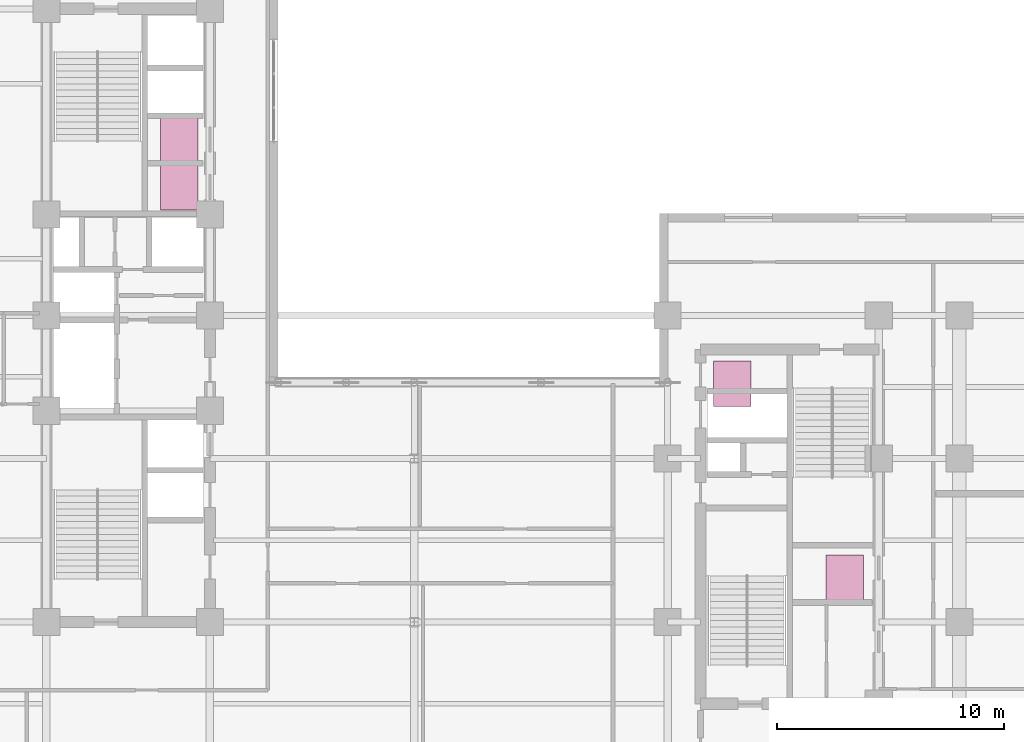
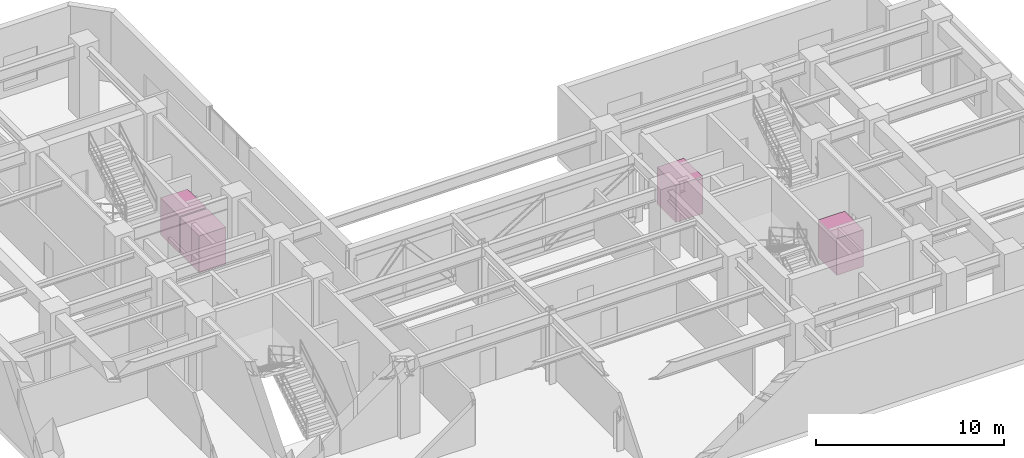
# One storey, part 18 of 18: 4 transport elements.
"""IFC4 building model written with IfcOpenShell, lengths in metres."""

from ifc_helpers import new_model, entity, si_unit, converted_unit, direction, frame, origin_with_axes, origin_2d_with_axis, place, context, subcontext, project, spatial, rectangle, extrude, material, type_object, element, save


model = new_model("IFC4")

# Units and contexts
model_context = context("Model", 3, precision=1e-05, world=origin_with_axes(), true_north=direction((0.0, 1.0)))
body_context = subcontext(model_context, "Body", "Model", "MODEL_VIEW")
ifc_project = project(units=[si_unit("LENGTHUNIT", "METRE"), si_unit("AREAUNIT", "SQUARE_METRE"), si_unit("VOLUMEUNIT", "CUBIC_METRE"), converted_unit("PLANEANGLEUNIT", "DEGREE", entity("IfcPlaneAngleMeasure", 0.017453292519943295), si_unit("PLANEANGLEUNIT", "RADIAN"), dimensions=[0, 0, 0, 0, 0, 0, 0]), si_unit("MASSUNIT", "GRAM", prefix="KILO"), si_unit("THERMODYNAMICTEMPERATUREUNIT", "KELVIN")], contexts=[model_context])

# Site, building, storey
site_placement = place(None, origin_with_axes())
site = spatial("IfcSite", under=ifc_project, at=site_placement, CompositionType="ELEMENT")
building_placement = place(site_placement, origin_with_axes())
building = spatial("IfcBuilding", under=site, at=building_placement, Name="Varnlund Millrace Tower", CompositionType="ELEMENT")
storey_placement = place(building_placement, frame((0.0, 0.0, 124.2), z_axis=(0.0, 0.0, 1.0), x_axis=(1.0, 0.0, 0.0)))
storey = spatial("IfcBuildingStorey", under=building, at=storey_placement, Name="L30", CompositionType="ELEMENT", Elevation=124.2)

# Transport elements
ifc_material = material(Name="Stainless steel and architectural bronze elevator cab", Category="steel")
transport_element_type = type_object("IfcTransportElementType", Name="Type-Lift-Passenger-2000X1650", PredefinedType="ELEVATOR", material=ifc_material)
for number, where, z_axis, x_axis, name in (
    (1, (17.25, 29.95, 0.0), (0.0, 0.0, 1.0), (1.0, 0.0, 0.0), "Passenger Lift ELV-M1 (Bank 2)"),
    (2, (17.25, 32.05, 0.0), (0.0, 0.0, 1.0), (1.0, 0.0, 0.0), "Passenger Lift ELV-M2 (Bank 2)"),
    (3, (46.55, 12.75, 0.0), (0.0, 0.0, 1.0), (1.0, 0.0, 0.0), "Passenger Lift ELV-M3 (Bank 2)"),
    (4, (41.6, 21.3, 0.0), (0.0, 0.0, 1.0), (1.0, 0.0, 0.0), "Passenger Lift ELV-M4 (Bank 2)"),
):
    element("IfcTransportElement", number, at=place(storey_placement, frame(where, z_axis=z_axis, x_axis=x_axis)), inside=storey, type_object=transport_element_type, Name=name, PredefinedType="ELEVATOR", context=body_context, shape_type="SweptSolid", body=[
        extrude(rectangle(XDim=1.65, YDim=2.0, at=origin_2d_with_axis()), origin_with_axes(), (0.0, 0.0, 1.0), 2.4),
    ])

save(model, "model.ifc")
